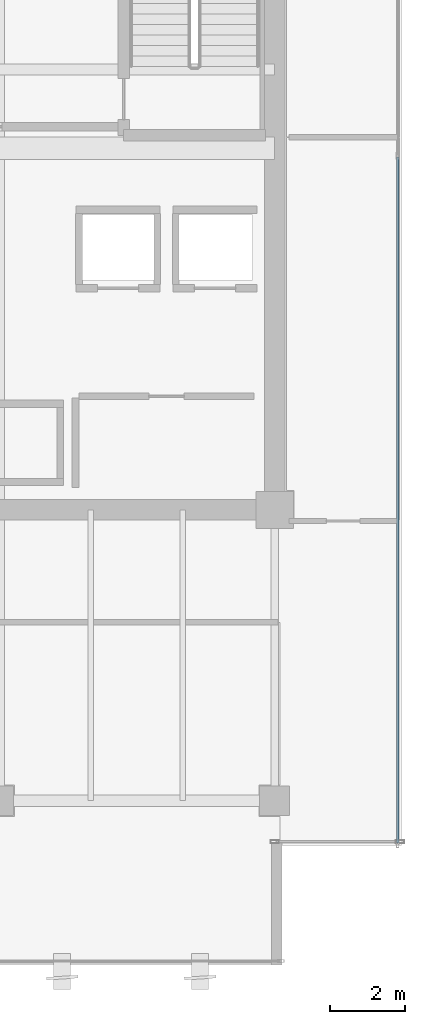
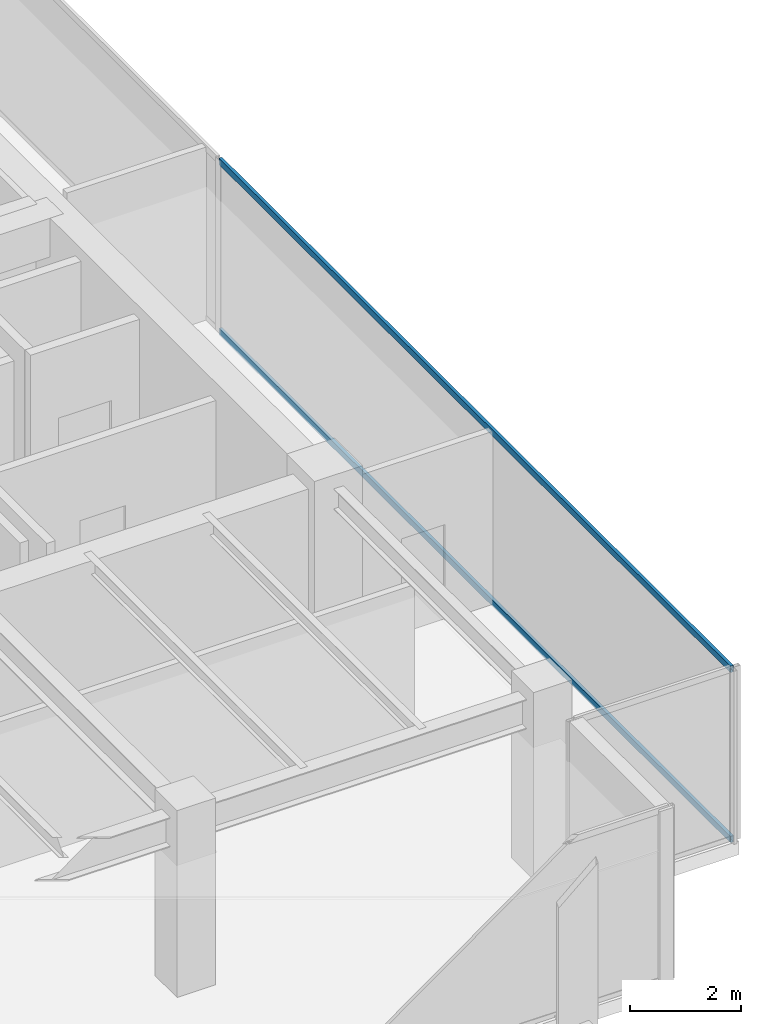
# One storey, part 23 of 35: 2 members, 1 element without a shape of its own.
"""IFC4 building model written with IfcOpenShell, lengths in metres."""

from ifc_helpers import new_model, si_unit, direction, frame, origin, origin_2d, place, context, subcontext, project, spatial, hollow_rectangle, extrude, source, transform, mapped, material, layer, layer_set, material_profile, profile_set, type_object, type_shapes, element, aggregate, save


model = new_model("IFC4")

# Units and contexts
model_context = context("Model", 3, precision=1e-05, world=origin(), true_north=direction((0.0, 1.0)))
body_context = subcontext(model_context, "Body", "Model", "MODEL_VIEW")
ifc_project = project(units=[si_unit("LENGTHUNIT", "METRE"), si_unit("AREAUNIT", "SQUARE_METRE"), si_unit("VOLUMEUNIT", "CUBIC_METRE"), si_unit("PLANEANGLEUNIT", "RADIAN"), si_unit("MASSUNIT", "GRAM", prefix="KILO")], contexts=[model_context])

# Site, building, storey
site_placement = place(None, origin())
site = spatial("IfcSite", under=ifc_project, at=site_placement, CompositionType="ELEMENT")
building_placement = place(site_placement, origin())
building = spatial("IfcBuilding", under=site, at=building_placement, Name="Haelvirn Gate Laboratories", CompositionType="ELEMENT")
storey_placement = place(building_placement, frame((0.0, 0.0, 201.39990234375)))
storey = spatial("IfcBuildingStorey", under=building, at=storey_placement, Name="L48", CompositionType="ELEMENT", Elevation=201.39990234375)

# Curtain wall, members
ifc_material_1 = material(Name="Anodised bronze unitised aluminium & triple low-E glass", Category="aluminium")
ifc_layer = layer(ifc_material_1, 0.176025390625, Name="CW-SYS-4")
ifc_layer_set = layer_set([ifc_layer], Name="Anodised bronze unitised aluminium & triple low-E glass")
curtain_wall_type = type_object("IfcCurtainWallType", Name="CW-SYS-4", PredefinedType="NOTDEFINED", material=ifc_layer_set)
curtain_wall_placement = place(storey_placement, origin())
curtain_wall = element("IfcCurtainWall", 1, at=curtain_wall_placement, inside=storey, type_object=curtain_wall_type, Name="L48 Unitised Curtain Wall CW-L48-P0-E07", PredefinedType="NOTDEFINED")
ifc_material_2 = material(Name="Extruded aluminium 6063-T6 (anodised bronze)", Category="aluminium")
ifc_material_profile = material_profile(ifc_material_2, hollow_rectangle(XDim=0.06494140625, YDim=0.139892578125, WallThickness=0.00390625, at=origin_2d()), Name="CWT-140x65x4")
ifc_profile_set = profile_set([ifc_material_profile], Name="Extruded aluminium 6063-T6 (anodised bronze)")
member_type = type_object("IfcMemberType", Name="CWT-T140", PredefinedType="USERDEFINED", material=ifc_profile_set)
shared_shape = source(origin(), body_context, "Body", "SweptSolid", [
    extrude(hollow_rectangle(XDim=0.06494140625, YDim=0.139892578125, WallThickness=0.00390625, at=origin_2d()), origin(), (0.0, 0.0, 1.0), 18.394775390625),
])
type_shapes(member_type, [shared_shape])
member_1_placement = place(storey_placement, frame((70.699951171875, 5.8701171875, 0.03271484375), z_axis=(0.0, 1.0, 0.0), x_axis=(-1.0, 0.0, 0.0)))
member_1 = element("IfcMember", 2, at=member_1_placement, type_object=member_type, Name="CW4 transom 1.1", ObjectType="TRANSOM", PredefinedType="USERDEFINED", context=body_context, shape_type="MappedRepresentation", body=[
    mapped(shared_shape, transform((0.0, 0.0, 0.0), scale=1.0)),
])
member_2_placement = place(storey_placement, frame((70.699951171875, 5.8701171875, 3.767578125), z_axis=(0.0, 1.0, 0.0), x_axis=(-1.0, 0.0, 0.0)))
member_2 = element("IfcMember", 3, at=member_2_placement, type_object=member_type, Name="CW4 transom 1.2", ObjectType="TRANSOM", PredefinedType="USERDEFINED", context=body_context, shape_type="MappedRepresentation", body=[
    mapped(shared_shape, transform((0.0, 0.0, 0.0), scale=1.0)),
])
aggregate(curtain_wall, [member_1, member_2])

save(model, "model.ifc")
